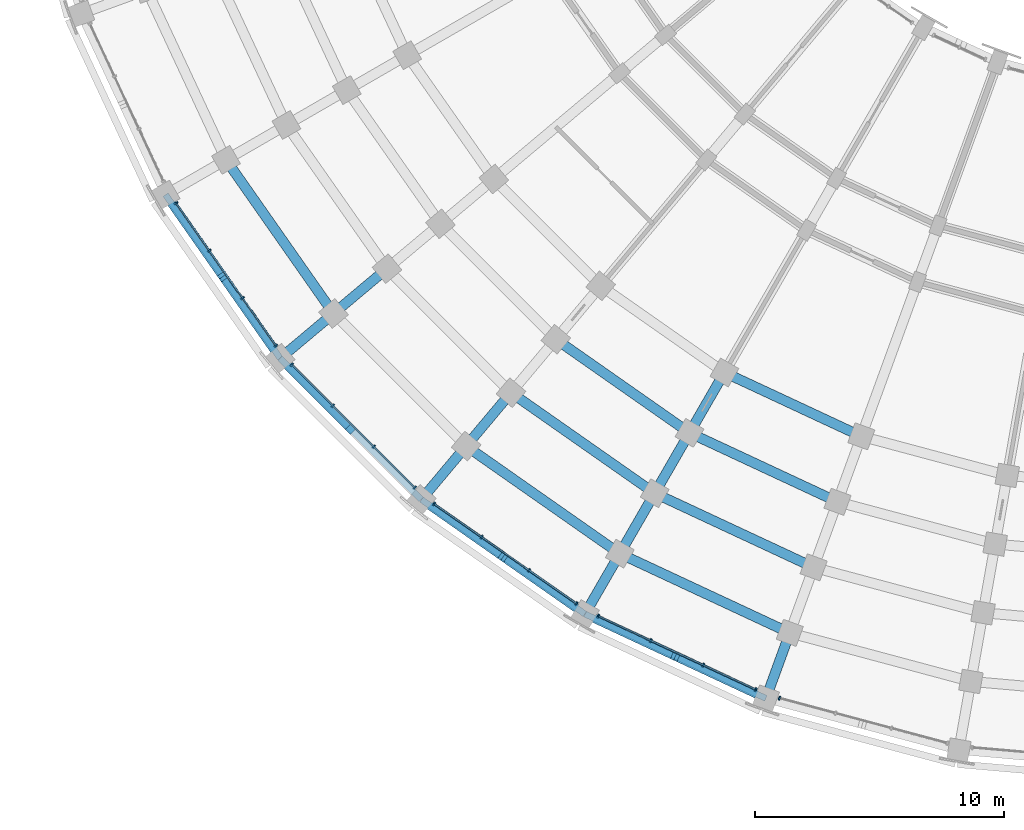
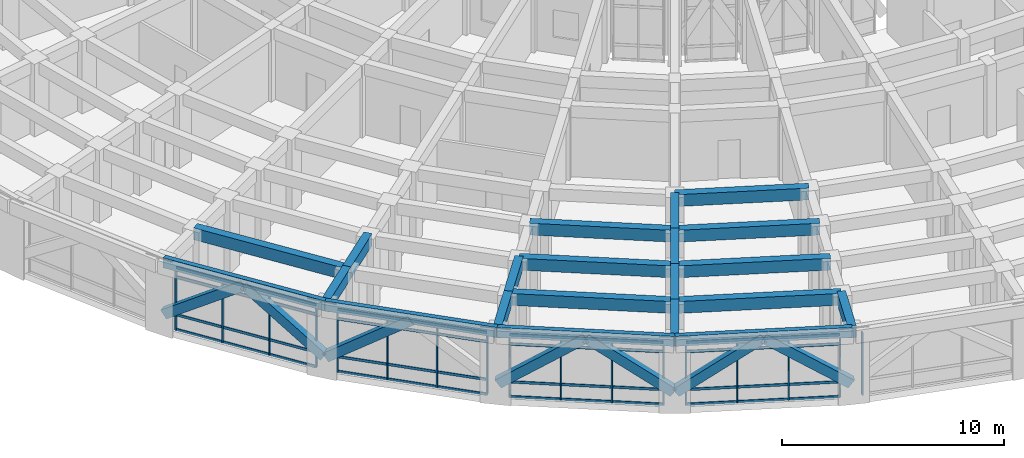
# One storey, part 5 of 97: 33 members, 28 beams, 5 elements without a shape of their own.
"""IFC4 building model written with IfcOpenShell, lengths in metres."""

from ifc_helpers import new_model, si_unit, direction, frame, origin, origin_2d, place, context, subcontext, project, spatial, rectangle, extrude, material, material_profile, profile_set, type_object, element, aggregate, save


model = new_model("IFC4")

# Units and contexts
model_context = context("Model", 3, precision=1e-05, world=origin(), true_north=direction((0.0, 1.0)))
body_context = subcontext(model_context, "Body", "Model", "MODEL_VIEW")
ifc_project = project(units=[si_unit("LENGTHUNIT", "METRE"), si_unit("AREAUNIT", "SQUARE_METRE"), si_unit("VOLUMEUNIT", "CUBIC_METRE"), si_unit("PLANEANGLEUNIT", "RADIAN"), si_unit("MASSUNIT", "GRAM", prefix="KILO")], contexts=[model_context])

# Site, building, storey
site_placement = place(None, origin())
site = spatial("IfcSite", under=ifc_project, at=site_placement, CompositionType="ELEMENT")
building_placement = place(site_placement, origin())
building = spatial("IfcBuilding", under=site, at=building_placement, Name="Kiranvali Square Residences", CompositionType="ELEMENT")
storey_placement = place(building_placement, frame((0.0, 0.0, 4.5)))
storey = spatial("IfcBuildingStorey", under=building, at=storey_placement, Name="L01", CompositionType="ELEMENT", Elevation=4.5)

# Beams
ifc_material_1 = material(Name="Concrete M40 (40 MPa)", Category="concrete")
ifc_material_profile_1 = material_profile(ifc_material_1, rectangle(XDim=0.35009765625, YDim=0.5, at=origin_2d()), Name="RC 350x500")
ifc_profile_set_1 = profile_set([ifc_material_profile_1], Name="Concrete M40 (40 MPa)")
beam_type_1 = type_object("IfcBeamType", Name="AR-M40-350x500", PredefinedType="USERDEFINED", material=ifc_profile_set_1)
beam_1_placement = place(storey_placement, frame((32.430908203125, 4.990966796875, 0.89990234375), z_axis=(-0.744982317322, 0.347388768396, 0.56949309958), x_axis=(-0.422616071984, -0.906308808134, 0.0)))
element("IfcBeam", 1, at=beam_1_placement, inside=storey, type_object=beam_type_1, Name="Classical pointed Ottoman arch rib ARCH-C-CRV-7-02.1", ObjectType="ARCH RIB", PredefinedType="USERDEFINED", context=body_context, shape_type="SweptSolid", body=[
    extrude(rectangle(XDim=0.35009765625, YDim=0.5, at=origin_2d()), origin(), (0.0, 0.0, 1.0), 4.828857421875),
])
beam_2_placement = place(storey_placement, frame((28.83349609375, 6.66845703125, 3.64990234375), z_axis=(-0.744959817365, 0.347401853205, -0.56951455021), x_axis=(-0.422639631689, -0.906297821759, 0.0)))
element("IfcBeam", 2, at=beam_2_placement, inside=storey, type_object=beam_type_1, Name="Classical pointed Ottoman arch rib ARCH-C-CRV-7-02.2", ObjectType="ARCH RIB", PredefinedType="USERDEFINED", context=body_context, shape_type="SweptSolid", body=[
    extrude(rectangle(XDim=0.35009765625, YDim=0.5, at=origin_2d()), origin(), (0.0, 0.0, 1.0), 4.82861328125),
])
beam_3_placement = place(storey_placement, frame((25.167236328125, 8.3857421875, 0.89990234375), z_axis=(-0.673345915945, 0.47146348297, 0.569497551975), x_axis=(-0.57356141334, -0.819162563309, 0.0)))
element("IfcBeam", 3, at=beam_3_placement, inside=storey, type_object=beam_type_1, Name="Classical pointed Ottoman arch rib ARCH-C-CRV-7-03.1", ObjectType="ARCH RIB", PredefinedType="USERDEFINED", context=body_context, shape_type="SweptSolid", body=[
    extrude(rectangle(XDim=0.35009765625, YDim=0.5, at=origin_2d()), origin(), (0.0, 0.0, 1.0), 4.828857421875),
])
beam_4_placement = place(storey_placement, frame((21.915771484375, 10.662353515625, 3.64990234375), z_axis=(-0.67331827867, 0.471479533574, -0.569516940072), x_axis=(-0.573590313325, -0.819142327352, 0.0)))
element("IfcBeam", 4, at=beam_4_placement, inside=storey, type_object=beam_type_1, Name="Classical pointed Ottoman arch rib ARCH-C-CRV-7-03.2", ObjectType="ARCH RIB", PredefinedType="USERDEFINED", context=body_context, shape_type="SweptSolid", body=[
    extrude(rectangle(XDim=0.35009765625, YDim=0.5, at=origin_2d()), origin(), (0.0, 0.0, 1.0), 4.82861328125),
])
beam_5_placement = place(storey_placement, frame((15.796875, 15.796875, 3.64990234375), z_axis=(-0.581233735807, 0.581233735807, -0.569503897019), x_axis=(-0.707106781187, -0.707106781187, 0.0)))
element("IfcBeam", 5, at=beam_5_placement, inside=storey, type_object=beam_type_1, Name="Classical pointed Ottoman arch rib ARCH-C-CRV-7-04.2", ObjectType="ARCH RIB", PredefinedType="USERDEFINED", context=body_context, shape_type="SweptSolid", body=[
    extrude(rectangle(XDim=0.35009765625, YDim=0.5, at=origin_2d()), origin(), (0.0, 0.0, 1.0), 4.828857421875),
])
beam_6_placement = place(storey_placement, frame((12.93896484375, 18.66455078125, 0.89990234375), z_axis=(-0.471479533574, 0.67331827867, 0.569516940072), x_axis=(-0.819142327352, -0.573590313325, 0.0)))
element("IfcBeam", 6, at=beam_6_placement, inside=storey, type_object=beam_type_1, Name="Classical pointed Ottoman arch rib ARCH-C-CRV-7-05.1", ObjectType="ARCH RIB", PredefinedType="USERDEFINED", context=body_context, shape_type="SweptSolid", body=[
    extrude(rectangle(XDim=0.35009765625, YDim=0.5, at=origin_2d()), origin(), (0.0, 0.0, 1.0), 4.82861328125),
])
beam_7_placement = place(storey_placement, frame((10.662353515625, 21.915771484375, 3.64990234375), z_axis=(-0.47146348297, 0.673345915945, -0.569497551975), x_axis=(-0.819162563309, -0.57356141334, 0.0)))
element("IfcBeam", 7, at=beam_7_placement, inside=storey, type_object=beam_type_1, Name="Classical pointed Ottoman arch rib ARCH-C-CRV-7-05.2", ObjectType="ARCH RIB", PredefinedType="USERDEFINED", context=body_context, shape_type="SweptSolid", body=[
    extrude(rectangle(XDim=0.35009765625, YDim=0.5, at=origin_2d()), origin(), (0.0, 0.0, 1.0), 4.828857421875),
])
ifc_material_2 = material(Name="Concrete M45 (45 MPa)", Category="concrete")
ifc_material_profile_2 = material_profile(ifc_material_2, rectangle(XDim=0.39990234375, YDim=0.64990234375, at=origin_2d()), Name="RC 400x650")
ifc_profile_set_2 = profile_set([ifc_material_profile_2], Name="Concrete M45 (45 MPa)")
beam_type_2 = type_object("IfcBeamType", Name="BM-M45-400x650", PredefinedType="BEAM", material=ifc_profile_set_2)
beam_8_placement = place(storey_placement, frame((36.297607421875, 15.498779296875, 3.655029296875), z_axis=(-0.906312656069, 0.42260781991, 0.0), x_axis=(-0.42260781991, -0.906312656069, 0.0)))
element("IfcBeam", 8, at=beam_8_placement, inside=storey, type_object=beam_type_2, Name="L01 beam BM-C-L01-C02-R3", PredefinedType="BEAM", context=body_context, shape_type="SweptSolid", body=[
    extrude(rectangle(XDim=0.39990234375, YDim=0.64990234375, at=origin_2d()), origin(), (0.0, 0.0, 1.0), 6.06591796875),
])
beam_9_placement = place(storey_placement, frame((35.340087890625, 12.86767578125, 3.655029296875), z_axis=(-0.906318225223, 0.422595876255, 0.0), x_axis=(-0.422595876255, -0.906318225223, 0.0)))
element("IfcBeam", 9, at=beam_9_placement, inside=storey, type_object=beam_type_2, Name="L01 beam BM-C-L01-C02-R4", PredefinedType="BEAM", context=body_context, shape_type="SweptSolid", body=[
    extrude(rectangle(XDim=0.39990234375, YDim=0.64990234375, at=origin_2d()), origin(), (0.0, 0.0, 1.0), 6.55419921875),
])
beam_10_placement = place(storey_placement, frame((34.38232421875, 10.236328125, 3.655029296875), z_axis=(-0.906297360311, 0.422640621205, 0.0), x_axis=(-0.422640621205, -0.906297360311, 0.0)))
element("IfcBeam", 10, at=beam_10_placement, inside=storey, type_object=beam_type_2, Name="L01 beam BM-C-L01-C02-R5", PredefinedType="BEAM", context=body_context, shape_type="SweptSolid", body=[
    extrude(rectangle(XDim=0.39990234375, YDim=0.64990234375, at=origin_2d()), origin(), (0.0, 0.0, 1.0), 7.042236328125),
])
beam_11_placement = place(storey_placement, frame((33.4248046875, 7.605224609375, 3.655029296875), z_axis=(-0.90630982703, 0.422613886933, 0.0), x_axis=(-0.422613886933, -0.90630982703, 0.0)))
element("IfcBeam", 11, at=beam_11_placement, inside=storey, type_object=beam_type_2, Name="L01 beam BM-C-L01-C02-R6", PredefinedType="BEAM", context=body_context, shape_type="SweptSolid", body=[
    extrude(rectangle(XDim=0.39990234375, YDim=0.64990234375, at=origin_2d()), origin(), (0.0, 0.0, 1.0), 7.5302734375),
])
beam_12_placement = place(storey_placement, frame((29.39990234375, 15.637451171875, 3.655029296875), z_axis=(-0.819144409176, 0.573587340268, 0.0), x_axis=(-0.573587340268, -0.819144409176, 0.0)))
element("IfcBeam", 12, at=beam_12_placement, inside=storey, type_object=beam_type_2, Name="L01 beam BM-C-L01-C03-R4", PredefinedType="BEAM", context=body_context, shape_type="SweptSolid", body=[
    extrude(rectangle(XDim=0.39990234375, YDim=0.64990234375, at=origin_2d()), origin(), (0.0, 0.0, 1.0), 6.553955078125),
])
beam_13_placement = place(storey_placement, frame((28.0, 13.212646484375, 3.655029296875), z_axis=(-0.819160249246, 0.57356471828, 0.0), x_axis=(-0.57356471828, -0.819160249246, 0.0)))
element("IfcBeam", 13, at=beam_13_placement, inside=storey, type_object=beam_type_2, Name="L01 beam BM-C-L01-C03-R5", PredefinedType="BEAM", context=body_context, shape_type="SweptSolid", body=[
    extrude(rectangle(XDim=0.39990234375, YDim=0.64990234375, at=origin_2d()), origin(), (0.0, 0.0, 1.0), 7.0419921875),
])
for number, where, z_axis, x_axis, name in (
    (14, (26.60009765625, 10.78759765625, 3.655029296875), (-0.819143569597, 0.573588539275, 0.0), (-0.573588539275, -0.819143569597, 0.0), "L01 beam BM-C-L01-C03-R6"),
    (15, (15.10693359375, 20.431640625, 3.655029296875), (-0.573588539275, 0.819143569597, 0.0), (-0.819143569597, -0.573588539275, 0.0), "L01 beam BM-C-L01-C05-R6"),
):
    element("IfcBeam", number, at=place(storey_placement, frame(where, z_axis=z_axis, x_axis=x_axis)), inside=storey, type_object=beam_type_2, Name=name, PredefinedType="BEAM", context=body_context, shape_type="SweptSolid", body=[
        extrude(rectangle(XDim=0.39990234375, YDim=0.64990234375, at=origin_2d()), origin(), (0.0, 0.0, 1.0), 7.5302734375),
    ])
for number, where, z_axis, x_axis, name in (
    (16, (33.4248046875, 7.605224609375, 3.655029296875), (-0.342058084236, -0.939678810556, 0.0), (0.939678810556, -0.342058084236, 0.0), "L01 beam BM-C-L01-RAD02-67"),
    (17, (30.800048828125, 18.062255859375, 3.655029296875), (-0.500049511043, -0.865996816683, 0.0), (0.865996816683, -0.500049511043, 0.0), "L01 beam BM-C-L01-RAD03-34"),
):
    element("IfcBeam", number, at=place(storey_placement, frame(where, z_axis=z_axis, x_axis=x_axis)), inside=storey, type_object=beam_type_2, Name=name, PredefinedType="BEAM", context=body_context, shape_type="SweptSolid", body=[
        extrude(rectangle(XDim=0.39990234375, YDim=0.64990234375, at=origin_2d()), origin(), (0.0, 0.0, 1.0), 2.800048828125),
    ])
beam_14_placement = place(storey_placement, frame((29.39990234375, 15.637451171875, 3.655029296875), z_axis=(-0.49998411664, -0.866034573852, 0.0), x_axis=(0.866034573852, -0.49998411664, 0.0)))
element("IfcBeam", 18, at=beam_14_placement, inside=storey, type_object=beam_type_2, Name="L01 beam BM-C-L01-RAD03-45", PredefinedType="BEAM", context=body_context, shape_type="SweptSolid", body=[
    extrude(rectangle(XDim=0.39990234375, YDim=0.64990234375, at=origin_2d()), origin(), (0.0, 0.0, 1.0), 2.7998046875),
])
for number, where, z_axis, x_axis, name in (
    (19, (28.0, 13.212646484375, 3.655029296875), (-0.49994636267, -0.866056369097, 0.0), (0.866056369097, -0.49994636267, 0.0), "L01 beam BM-C-L01-RAD03-56"),
    (20, (26.60009765625, 10.78759765625, 3.655029296875), (-0.500049511043, -0.865996816683, 0.0), (0.865996816683, -0.500049511043, 0.0), "L01 beam BM-C-L01-RAD03-67"),
):
    element("IfcBeam", number, at=place(storey_placement, frame(where, z_axis=z_axis, x_axis=x_axis)), inside=storey, type_object=beam_type_2, Name=name, PredefinedType="BEAM", context=body_context, shape_type="SweptSolid", body=[
        extrude(rectangle(XDim=0.39990234375, YDim=0.64990234375, at=origin_2d()), origin(), (0.0, 0.0, 1.0), 2.800048828125),
    ])
beam_15_placement = place(storey_placement, frame((22.2314453125, 17.251708984375, 3.655029296875), z_axis=(-0.642813692253, -0.76602255649, 0.0), x_axis=(0.76602255649, -0.642813692253, 0.0)))
element("IfcBeam", 21, at=beam_15_placement, inside=storey, type_object=beam_type_2, Name="L01 beam BM-C-L01-RAD04-56", PredefinedType="BEAM", context=body_context, shape_type="SweptSolid", body=[
    extrude(rectangle(XDim=0.39990234375, YDim=0.64990234375, at=origin_2d()), origin(), (0.0, 0.0, 1.0), 2.7998046875),
])
beam_16_placement = place(storey_placement, frame((20.431640625, 15.10693359375, 3.655029296875), z_axis=(-0.642770757628, -0.766058583359, 0.0), x_axis=(0.766058583359, -0.642770757628, 0.0)))
element("IfcBeam", 22, at=beam_16_placement, inside=storey, type_object=beam_type_2, Name="L01 beam BM-C-L01-RAD04-67", PredefinedType="BEAM", context=body_context, shape_type="SweptSolid", body=[
    extrude(rectangle(XDim=0.39990234375, YDim=0.64990234375, at=origin_2d()), origin(), (0.0, 0.0, 1.0), 2.800048828125),
])
beam_17_placement = place(storey_placement, frame((17.251708984375, 22.2314453125, 3.655029296875), z_axis=(-0.76602255649, -0.642813692253, 0.0), x_axis=(0.642813692253, -0.76602255649, 0.0)))
element("IfcBeam", 23, at=beam_17_placement, inside=storey, type_object=beam_type_2, Name="L01 beam BM-C-L01-RAD05-56", PredefinedType="BEAM", context=body_context, shape_type="SweptSolid", body=[
    extrude(rectangle(XDim=0.39990234375, YDim=0.64990234375, at=origin_2d()), origin(), (0.0, 0.0, 1.0), 2.7998046875),
])
beam_18_placement = place(storey_placement, frame((15.10693359375, 20.431640625, 3.655029296875), z_axis=(-0.766058583359, -0.642770757628, 0.0), x_axis=(0.642770757628, -0.766058583359, 0.0)))
element("IfcBeam", 24, at=beam_18_placement, inside=storey, type_object=beam_type_2, Name="L01 beam BM-C-L01-RAD05-67", PredefinedType="BEAM", context=body_context, shape_type="SweptSolid", body=[
    extrude(rectangle(XDim=0.39990234375, YDim=0.64990234375, at=origin_2d()), origin(), (0.0, 0.0, 1.0), 2.800048828125),
])

# Curtain wall, member
ifc_material_3 = material(Name="Anodised bronze aluminium framing", Category="aluminium")
curtain_wall_type = type_object("IfcCurtainWallType", Name="CW-RET-SHOP", PredefinedType="USERDEFINED", material=ifc_material_3)
curtain_wall_1_placement = place(storey_placement, origin())
curtain_wall_1 = element("IfcCurtainWall", 25, at=curtain_wall_1_placement, inside=storey, type_object=curtain_wall_type, Name="Block C L01 rounded-corner arcade curtain wall 2", ObjectType="CURTAIN WALL", PredefinedType="USERDEFINED")
ifc_material_profile_3 = material_profile(ifc_material_3, rectangle(XDim=0.06494140625, YDim=0.159912109375, at=origin_2d()), Name="ALU 65x160")
ifc_profile_set_3 = profile_set([ifc_material_profile_3], Name="Anodised bronze aluminium framing")
member_type_1 = type_object("IfcMemberType", Name="CW-MUL-160", PredefinedType="MULLION", material=ifc_profile_set_3)
member_1_placement = place(storey_placement, frame((33.00830078125, 4.984375, 0.02001953125), z_axis=(0.0, 0.0, 1.0), x_axis=(-0.965925826289, 0.258819045103, 0.0)))
member_1 = element("IfcMember", 26, at=member_1_placement, type_object=member_type_1, Name="CW-C-L01-CRV-01 vertical mullion 4", PredefinedType="MULLION", context=body_context, shape_type="SweptSolid", body=[
    extrude(rectangle(XDim=0.06494140625, YDim=0.159912109375, at=origin_2d()), origin(), (0.0, 0.0, 1.0), 3.43994140625),
])
aggregate(curtain_wall_1, [member_1])

# Curtain wall, members
curtain_wall_2_placement = place(storey_placement, origin())
curtain_wall_2 = element("IfcCurtainWall", 27, at=curtain_wall_2_placement, inside=storey, type_object=curtain_wall_type, Name="Block C L01 rounded-corner arcade curtain wall 3", ObjectType="CURTAIN WALL", PredefinedType="USERDEFINED")
member_2_placement = place(storey_placement, frame((32.05908203125, 5.329833984375, 0.02001953125), z_axis=(0.0, 0.0, 1.0), x_axis=(-0.906307787037, 0.422618261741, 0.0)))
member_2 = element("IfcMember", 28, at=member_2_placement, type_object=member_type_1, Name="CW-C-L01-CRV-02 vertical mullion 1", PredefinedType="MULLION", context=body_context, shape_type="SweptSolid", body=[
    extrude(rectangle(XDim=0.06494140625, YDim=0.159912109375, at=origin_2d()), origin(), (0.0, 0.0, 1.0), 3.43994140625),
])
member_3_placement = place(storey_placement, frame((29.950927734375, 6.31298828125, 0.02001953125), z_axis=(0.0, 0.0, 1.0), x_axis=(-0.906307787037, 0.422618261741, 0.0)))
member_3 = element("IfcMember", 29, at=member_3_placement, type_object=member_type_1, Name="CW-C-L01-CRV-02 vertical mullion 2", PredefinedType="MULLION", context=body_context, shape_type="SweptSolid", body=[
    extrude(rectangle(XDim=0.06494140625, YDim=0.159912109375, at=origin_2d()), origin(), (0.0, 0.0, 1.0), 3.43994140625),
])
member_4_placement = place(storey_placement, frame((27.8427734375, 7.2958984375, 0.02001953125), z_axis=(0.0, 0.0, 1.0), x_axis=(-0.906307787037, 0.422618261741, 0.0)))
member_4 = element("IfcMember", 30, at=member_4_placement, type_object=member_type_1, Name="CW-C-L01-CRV-02 vertical mullion 3", PredefinedType="MULLION", context=body_context, shape_type="SweptSolid", body=[
    extrude(rectangle(XDim=0.06494140625, YDim=0.159912109375, at=origin_2d()), origin(), (0.0, 0.0, 1.0), 3.43994140625),
])
member_5_placement = place(storey_placement, frame((25.734619140625, 8.279052734375, 0.02001953125), z_axis=(0.0, 0.0, 1.0), x_axis=(-0.906307787037, 0.422618261741, 0.0)))
member_5 = element("IfcMember", 31, at=member_5_placement, type_object=member_type_1, Name="CW-C-L01-CRV-02 vertical mullion 4", PredefinedType="MULLION", context=body_context, shape_type="SweptSolid", body=[
    extrude(rectangle(XDim=0.06494140625, YDim=0.159912109375, at=origin_2d()), origin(), (0.0, 0.0, 1.0), 3.43994140625),
])

curtain_wall_3_placement = place(storey_placement, origin())
curtain_wall_3 = element("IfcCurtainWall", 32, at=curtain_wall_3_placement, inside=storey, type_object=curtain_wall_type, Name="Block C L01 rounded-corner arcade curtain wall 4", ObjectType="CURTAIN WALL", PredefinedType="USERDEFINED")
member_6_placement = place(storey_placement, frame((24.860107421875, 8.783935546875, 0.02001953125), z_axis=(0.0, 0.0, 1.0), x_axis=(-0.819152044289, 0.573576436351, 0.0)))
member_6 = element("IfcMember", 33, at=member_6_placement, type_object=member_type_1, Name="CW-C-L01-CRV-03 vertical mullion 1", PredefinedType="MULLION", context=body_context, shape_type="SweptSolid", body=[
    extrude(rectangle(XDim=0.06494140625, YDim=0.159912109375, at=origin_2d()), origin(), (0.0, 0.0, 1.0), 3.43994140625),
])
member_7_placement = place(storey_placement, frame((22.95458984375, 10.1181640625, 0.02001953125), z_axis=(0.0, 0.0, 1.0), x_axis=(-0.819152044289, 0.573576436351, 0.0)))
member_7 = element("IfcMember", 34, at=member_7_placement, type_object=member_type_1, Name="CW-C-L01-CRV-03 vertical mullion 2", PredefinedType="MULLION", context=body_context, shape_type="SweptSolid", body=[
    extrude(rectangle(XDim=0.06494140625, YDim=0.159912109375, at=origin_2d()), origin(), (0.0, 0.0, 1.0), 3.43994140625),
])
member_8_placement = place(storey_placement, frame((21.04931640625, 11.452392578125, 0.02001953125), z_axis=(0.0, 0.0, 1.0), x_axis=(-0.819152044289, 0.573576436351, 0.0)))
member_8 = element("IfcMember", 35, at=member_8_placement, type_object=member_type_1, Name="CW-C-L01-CRV-03 vertical mullion 3", PredefinedType="MULLION", context=body_context, shape_type="SweptSolid", body=[
    extrude(rectangle(XDim=0.06494140625, YDim=0.159912109375, at=origin_2d()), origin(), (0.0, 0.0, 1.0), 3.43994140625),
])
member_9_placement = place(storey_placement, frame((19.143798828125, 12.78662109375, 0.02001953125), z_axis=(0.0, 0.0, 1.0), x_axis=(-0.819152044289, 0.573576436351, 0.0)))
member_9 = element("IfcMember", 36, at=member_9_placement, type_object=member_type_1, Name="CW-C-L01-CRV-03 vertical mullion 4", PredefinedType="MULLION", context=body_context, shape_type="SweptSolid", body=[
    extrude(rectangle(XDim=0.06494140625, YDim=0.159912109375, at=origin_2d()), origin(), (0.0, 0.0, 1.0), 3.43994140625),
])

curtain_wall_4_placement = place(storey_placement, origin())
curtain_wall_4 = element("IfcCurtainWall", 37, at=curtain_wall_4_placement, inside=storey, type_object=curtain_wall_type, Name="Block C L01 rounded-corner arcade curtain wall 5", ObjectType="CURTAIN WALL", PredefinedType="USERDEFINED")
member_10_placement = place(storey_placement, frame((18.3701171875, 13.435791015625, 0.02001953125), z_axis=(0.0, 0.0, 1.0), x_axis=(-0.707106781187, 0.707106781187, 0.0)))
member_10 = element("IfcMember", 38, at=member_10_placement, type_object=member_type_1, Name="CW-C-L01-CRV-04 vertical mullion 1", PredefinedType="MULLION", context=body_context, shape_type="SweptSolid", body=[
    extrude(rectangle(XDim=0.06494140625, YDim=0.159912109375, at=origin_2d()), origin(), (0.0, 0.0, 1.0), 3.43994140625),
])
member_11_placement = place(storey_placement, frame((16.725341796875, 15.08056640625, 0.02001953125), z_axis=(0.0, 0.0, 1.0), x_axis=(-0.707106781187, 0.707106781187, 0.0)))
member_11 = element("IfcMember", 39, at=member_11_placement, type_object=member_type_1, Name="CW-C-L01-CRV-04 vertical mullion 2", PredefinedType="MULLION", context=body_context, shape_type="SweptSolid", body=[
    extrude(rectangle(XDim=0.06494140625, YDim=0.159912109375, at=origin_2d()), origin(), (0.0, 0.0, 1.0), 3.43994140625),
])
member_12_placement = place(storey_placement, frame((15.08056640625, 16.725341796875, 0.02001953125), z_axis=(0.0, 0.0, 1.0), x_axis=(-0.707106781187, 0.707106781187, 0.0)))
member_12 = element("IfcMember", 40, at=member_12_placement, type_object=member_type_1, Name="CW-C-L01-CRV-04 vertical mullion 3", PredefinedType="MULLION", context=body_context, shape_type="SweptSolid", body=[
    extrude(rectangle(XDim=0.06494140625, YDim=0.159912109375, at=origin_2d()), origin(), (0.0, 0.0, 1.0), 3.43994140625),
])
member_13_placement = place(storey_placement, frame((13.435791015625, 18.3701171875, 0.02001953125), z_axis=(0.0, 0.0, 1.0), x_axis=(-0.707106781187, 0.707106781187, 0.0)))
member_13 = element("IfcMember", 41, at=member_13_placement, type_object=member_type_1, Name="CW-C-L01-CRV-04 vertical mullion 4", PredefinedType="MULLION", context=body_context, shape_type="SweptSolid", body=[
    extrude(rectangle(XDim=0.06494140625, YDim=0.159912109375, at=origin_2d()), origin(), (0.0, 0.0, 1.0), 3.43994140625),
])

curtain_wall_5_placement = place(storey_placement, origin())
curtain_wall_5 = element("IfcCurtainWall", 42, at=curtain_wall_5_placement, inside=storey, type_object=curtain_wall_type, Name="Block C L01 rounded-corner arcade curtain wall 6", ObjectType="CURTAIN WALL", PredefinedType="USERDEFINED")
member_14_placement = place(storey_placement, frame((12.78662109375, 19.143798828125, 0.02001953125), z_axis=(0.0, 0.0, 1.0), x_axis=(-0.573576436351, 0.819152044289, 0.0)))
member_14 = element("IfcMember", 43, at=member_14_placement, type_object=member_type_1, Name="CW-C-L01-CRV-05 vertical mullion 1", PredefinedType="MULLION", context=body_context, shape_type="SweptSolid", body=[
    extrude(rectangle(XDim=0.06494140625, YDim=0.159912109375, at=origin_2d()), origin(), (0.0, 0.0, 1.0), 3.43994140625),
])
member_15_placement = place(storey_placement, frame((11.452392578125, 21.04931640625, 0.02001953125), z_axis=(0.0, 0.0, 1.0), x_axis=(-0.573576436351, 0.819152044289, 0.0)))
member_15 = element("IfcMember", 44, at=member_15_placement, type_object=member_type_1, Name="CW-C-L01-CRV-05 vertical mullion 2", PredefinedType="MULLION", context=body_context, shape_type="SweptSolid", body=[
    extrude(rectangle(XDim=0.06494140625, YDim=0.159912109375, at=origin_2d()), origin(), (0.0, 0.0, 1.0), 3.43994140625),
])
member_16_placement = place(storey_placement, frame((10.1181640625, 22.95458984375, 0.02001953125), z_axis=(0.0, 0.0, 1.0), x_axis=(-0.573576436351, 0.819152044289, 0.0)))
member_16 = element("IfcMember", 45, at=member_16_placement, type_object=member_type_1, Name="CW-C-L01-CRV-05 vertical mullion 3", PredefinedType="MULLION", context=body_context, shape_type="SweptSolid", body=[
    extrude(rectangle(XDim=0.06494140625, YDim=0.159912109375, at=origin_2d()), origin(), (0.0, 0.0, 1.0), 3.43994140625),
])
member_17_placement = place(storey_placement, frame((8.783935546875, 24.860107421875, 0.02001953125), z_axis=(0.0, 0.0, 1.0), x_axis=(-0.573576436351, 0.819152044289, 0.0)))
member_17 = element("IfcMember", 46, at=member_17_placement, type_object=member_type_1, Name="CW-C-L01-CRV-05 vertical mullion 4", PredefinedType="MULLION", context=body_context, shape_type="SweptSolid", body=[
    extrude(rectangle(XDim=0.06494140625, YDim=0.159912109375, at=origin_2d()), origin(), (0.0, 0.0, 1.0), 3.43994140625),
])

# Member
ifc_material_profile_4 = material_profile(ifc_material_3, rectangle(XDim=0.06494140625, YDim=0.139892578125, at=origin_2d()), Name="ALU 65x140")
ifc_profile_set_4 = profile_set([ifc_material_profile_4], Name="Anodised bronze aluminium framing")
member_type_2 = type_object("IfcMemberType", Name="CW-TRN-140", PredefinedType="MULLION", material=ifc_profile_set_4)
member_18_placement = place(storey_placement, frame((32.050048828125, 5.333984375, 0.0400390625), z_axis=(-0.90629694339, 0.422641515237, 0.0), x_axis=(-0.422641515237, -0.90629694339, 0.0)))
member_18 = element("IfcMember", 47, at=member_18_placement, type_object=member_type_2, Name="CW-C-L01-CRV-02 horizontal transom 1", PredefinedType="MULLION", context=body_context, shape_type="SweptSolid", body=[
    extrude(rectangle(XDim=0.06494140625, YDim=0.139892578125, at=origin_2d()), origin(), (0.0, 0.0, 1.0), 6.95849609375),
])

member_19_placement = place(storey_placement, frame((32.050048828125, 5.333984375, 0.85009765625), z_axis=(-0.90629694339, 0.422641515237, 0.0), x_axis=(-0.422641515237, -0.90629694339, 0.0)))
member_19 = element("IfcMember", 48, at=member_19_placement, type_object=member_type_2, Name="CW-C-L01-CRV-02 horizontal transom 2", PredefinedType="MULLION", context=body_context, shape_type="SweptSolid", body=[
    extrude(rectangle(XDim=0.06494140625, YDim=0.139892578125, at=origin_2d()), origin(), (0.0, 0.0, 1.0), 6.95849609375),
])

member_20_placement = place(storey_placement, frame((32.050048828125, 5.333984375, 2.929931640625), z_axis=(-0.90629694339, 0.422641515237, 0.0), x_axis=(-0.422641515237, -0.90629694339, 0.0)))
member_20 = element("IfcMember", 49, at=member_20_placement, type_object=member_type_2, Name="CW-C-L01-CRV-02 horizontal transom 3", PredefinedType="MULLION", context=body_context, shape_type="SweptSolid", body=[
    extrude(rectangle(XDim=0.06494140625, YDim=0.139892578125, at=origin_2d()), origin(), (0.0, 0.0, 1.0), 6.95849609375),
])

member_21_placement = place(storey_placement, frame((32.050048828125, 5.333984375, 3.43994140625), z_axis=(-0.90629694339, 0.422641515237, 0.0), x_axis=(-0.422641515237, -0.90629694339, 0.0)))
member_21 = element("IfcMember", 50, at=member_21_placement, type_object=member_type_2, Name="CW-C-L01-CRV-02 horizontal transom 4", PredefinedType="MULLION", context=body_context, shape_type="SweptSolid", body=[
    extrude(rectangle(XDim=0.06494140625, YDim=0.139892578125, at=origin_2d()), origin(), (0.0, 0.0, 1.0), 6.95849609375),
])

aggregate(curtain_wall_2, [member_2, member_3, member_4, member_5, member_18, member_19, member_20, member_21])

member_22_placement = place(storey_placement, frame((24.851806640625, 8.789794921875, 0.0400390625), z_axis=(-0.819164332124, 0.573558887104, 0.0), x_axis=(-0.573558887104, -0.819164332124, 0.0)))
member_22 = element("IfcMember", 51, at=member_22_placement, type_object=member_type_2, Name="CW-C-L01-CRV-03 horizontal transom 1", PredefinedType="MULLION", context=body_context, shape_type="SweptSolid", body=[
    extrude(rectangle(XDim=0.06494140625, YDim=0.139892578125, at=origin_2d()), origin(), (0.0, 0.0, 1.0), 6.958251953125),
])

member_23_placement = place(storey_placement, frame((24.851806640625, 8.789794921875, 0.85009765625), z_axis=(-0.819164332124, 0.573558887104, 0.0), x_axis=(-0.573558887104, -0.819164332124, 0.0)))
member_23 = element("IfcMember", 52, at=member_23_placement, type_object=member_type_2, Name="CW-C-L01-CRV-03 horizontal transom 2", PredefinedType="MULLION", context=body_context, shape_type="SweptSolid", body=[
    extrude(rectangle(XDim=0.06494140625, YDim=0.139892578125, at=origin_2d()), origin(), (0.0, 0.0, 1.0), 6.958251953125),
])

member_24_placement = place(storey_placement, frame((24.851806640625, 8.789794921875, 2.929931640625), z_axis=(-0.819164332124, 0.573558887104, 0.0), x_axis=(-0.573558887104, -0.819164332124, 0.0)))
member_24 = element("IfcMember", 53, at=member_24_placement, type_object=member_type_2, Name="CW-C-L01-CRV-03 horizontal transom 3", PredefinedType="MULLION", context=body_context, shape_type="SweptSolid", body=[
    extrude(rectangle(XDim=0.06494140625, YDim=0.139892578125, at=origin_2d()), origin(), (0.0, 0.0, 1.0), 6.958251953125),
])

member_25_placement = place(storey_placement, frame((24.851806640625, 8.789794921875, 3.43994140625), z_axis=(-0.819164332124, 0.573558887104, 0.0), x_axis=(-0.573558887104, -0.819164332124, 0.0)))
member_25 = element("IfcMember", 54, at=member_25_placement, type_object=member_type_2, Name="CW-C-L01-CRV-03 horizontal transom 4", PredefinedType="MULLION", context=body_context, shape_type="SweptSolid", body=[
    extrude(rectangle(XDim=0.06494140625, YDim=0.139892578125, at=origin_2d()), origin(), (0.0, 0.0, 1.0), 6.958251953125),
])

aggregate(curtain_wall_3, [member_6, member_7, member_8, member_9, member_22, member_23, member_24, member_25])

member_26_placement = place(storey_placement, frame((18.363037109375, 13.44287109375, 0.0400390625), z_axis=(-0.707106781187, 0.707106781187, 0.0), x_axis=(-0.707106781187, -0.707106781187, 0.0)))
member_26 = element("IfcMember", 55, at=member_26_placement, type_object=member_type_2, Name="CW-C-L01-CRV-04 horizontal transom 1", PredefinedType="MULLION", context=body_context, shape_type="SweptSolid", body=[
    extrude(rectangle(XDim=0.06494140625, YDim=0.139892578125, at=origin_2d()), origin(), (0.0, 0.0, 1.0), 6.958251953125),
])

member_27_placement = place(storey_placement, frame((18.363037109375, 13.44287109375, 0.85009765625), z_axis=(-0.707106781187, 0.707106781187, 0.0), x_axis=(-0.707106781187, -0.707106781187, 0.0)))
member_27 = element("IfcMember", 56, at=member_27_placement, type_object=member_type_2, Name="CW-C-L01-CRV-04 horizontal transom 2", PredefinedType="MULLION", context=body_context, shape_type="SweptSolid", body=[
    extrude(rectangle(XDim=0.06494140625, YDim=0.139892578125, at=origin_2d()), origin(), (0.0, 0.0, 1.0), 6.958251953125),
])

member_28_placement = place(storey_placement, frame((18.363037109375, 13.44287109375, 2.929931640625), z_axis=(-0.707106781187, 0.707106781187, 0.0), x_axis=(-0.707106781187, -0.707106781187, 0.0)))
member_28 = element("IfcMember", 57, at=member_28_placement, type_object=member_type_2, Name="CW-C-L01-CRV-04 horizontal transom 3", PredefinedType="MULLION", context=body_context, shape_type="SweptSolid", body=[
    extrude(rectangle(XDim=0.06494140625, YDim=0.139892578125, at=origin_2d()), origin(), (0.0, 0.0, 1.0), 6.958251953125),
])

member_29_placement = place(storey_placement, frame((18.363037109375, 13.44287109375, 3.43994140625), z_axis=(-0.707106781187, 0.707106781187, 0.0), x_axis=(-0.707106781187, -0.707106781187, 0.0)))
member_29 = element("IfcMember", 58, at=member_29_placement, type_object=member_type_2, Name="CW-C-L01-CRV-04 horizontal transom 4", PredefinedType="MULLION", context=body_context, shape_type="SweptSolid", body=[
    extrude(rectangle(XDim=0.06494140625, YDim=0.139892578125, at=origin_2d()), origin(), (0.0, 0.0, 1.0), 6.958251953125),
])

aggregate(curtain_wall_4, [member_10, member_11, member_12, member_13, member_26, member_27, member_28, member_29])

member_30_placement = place(storey_placement, frame((12.78076171875, 19.15185546875, 0.0400390625), z_axis=(-0.573558887104, 0.819164332124, 0.0), x_axis=(-0.819164332124, -0.573558887104, 0.0)))
member_30 = element("IfcMember", 59, at=member_30_placement, type_object=member_type_2, Name="CW-C-L01-CRV-05 horizontal transom 1", PredefinedType="MULLION", context=body_context, shape_type="SweptSolid", body=[
    extrude(rectangle(XDim=0.06494140625, YDim=0.139892578125, at=origin_2d()), origin(), (0.0, 0.0, 1.0), 6.958251953125),
])

member_31_placement = place(storey_placement, frame((12.78076171875, 19.15185546875, 0.85009765625), z_axis=(-0.573558887104, 0.819164332124, 0.0), x_axis=(-0.819164332124, -0.573558887104, 0.0)))
member_31 = element("IfcMember", 60, at=member_31_placement, type_object=member_type_2, Name="CW-C-L01-CRV-05 horizontal transom 2", PredefinedType="MULLION", context=body_context, shape_type="SweptSolid", body=[
    extrude(rectangle(XDim=0.06494140625, YDim=0.139892578125, at=origin_2d()), origin(), (0.0, 0.0, 1.0), 6.958251953125),
])

member_32_placement = place(storey_placement, frame((12.78076171875, 19.15185546875, 2.929931640625), z_axis=(-0.573558887104, 0.819164332124, 0.0), x_axis=(-0.819164332124, -0.573558887104, 0.0)))
member_32 = element("IfcMember", 61, at=member_32_placement, type_object=member_type_2, Name="CW-C-L01-CRV-05 horizontal transom 3", PredefinedType="MULLION", context=body_context, shape_type="SweptSolid", body=[
    extrude(rectangle(XDim=0.06494140625, YDim=0.139892578125, at=origin_2d()), origin(), (0.0, 0.0, 1.0), 6.958251953125),
])

member_33_placement = place(storey_placement, frame((12.78076171875, 19.15185546875, 3.43994140625), z_axis=(-0.573558887104, 0.819164332124, 0.0), x_axis=(-0.819164332124, -0.573558887104, 0.0)))
member_33 = element("IfcMember", 62, at=member_33_placement, type_object=member_type_2, Name="CW-C-L01-CRV-05 horizontal transom 4", PredefinedType="MULLION", context=body_context, shape_type="SweptSolid", body=[
    extrude(rectangle(XDim=0.06494140625, YDim=0.139892578125, at=origin_2d()), origin(), (0.0, 0.0, 1.0), 6.958251953125),
])

aggregate(curtain_wall_5, [member_14, member_15, member_16, member_17, member_30, member_31, member_32, member_33])

# Beams
ifc_material_profile_5 = material_profile(ifc_material_1, rectangle(XDim=0.25, YDim=0.550048828125, at=origin_2d()), Name="RC 250x550")
ifc_profile_set_5 = profile_set([ifc_material_profile_5], Name="Concrete M40 (40 MPa)")
beam_type_3 = type_object("IfcBeamType", Name="SPN-M40-250x550", PredefinedType="SPANDREL", material=ifc_profile_set_5)
for number, where, z_axis, x_axis, name in (
    (63, (32.467041015625, 4.97412109375, 3.705078125), (-0.906309113636, 0.422615416827, 0.0), (-0.422615416827, -0.906309113636, 0.0), "L01 beam BM-C-L01-C02-R7"),
    (64, (25.199951171875, 8.36279296875, 3.705078125), (-0.819147515001, 0.573582904791, 0.0), (-0.573582904791, -0.819147515001, 0.0), "L01 beam BM-C-L01-C03-R7"),
):
    element("IfcBeam", number, at=place(storey_placement, frame(where, z_axis=z_axis, x_axis=x_axis)), inside=storey, type_object=beam_type_3, Name=name, PredefinedType="SPANDREL", context=body_context, shape_type="SweptSolid", body=[
        extrude(rectangle(XDim=0.25, YDim=0.550048828125, at=origin_2d()), origin(), (0.0, 0.0, 1.0), 8.018310546875),
    ])
beam_19_placement = place(storey_placement, frame((18.6318359375, 12.9619140625, 3.705078125), z_axis=(-0.707106781187, 0.707106781187, 0.0), x_axis=(-0.707106781187, -0.707106781187, 0.0)))
element("IfcBeam", 65, at=beam_19_placement, inside=storey, type_object=beam_type_3, Name="L01 beam BM-C-L01-C04-R7", PredefinedType="SPANDREL", context=body_context, shape_type="SweptSolid", body=[
    extrude(rectangle(XDim=0.25, YDim=0.550048828125, at=origin_2d()), origin(), (0.0, 0.0, 1.0), 8.0185546875),
])
beam_20_placement = place(storey_placement, frame((12.9619140625, 18.6318359375, 3.705078125), z_axis=(-0.573582904791, 0.819147515001, 0.0), x_axis=(-0.819147515001, -0.573582904791, 0.0)))
element("IfcBeam", 66, at=beam_20_placement, inside=storey, type_object=beam_type_3, Name="L01 beam BM-C-L01-C05-R7", PredefinedType="SPANDREL", context=body_context, shape_type="SweptSolid", body=[
    extrude(rectangle(XDim=0.25, YDim=0.550048828125, at=origin_2d()), origin(), (0.0, 0.0, 1.0), 8.018310546875),
])

save(model, "model.ifc")
